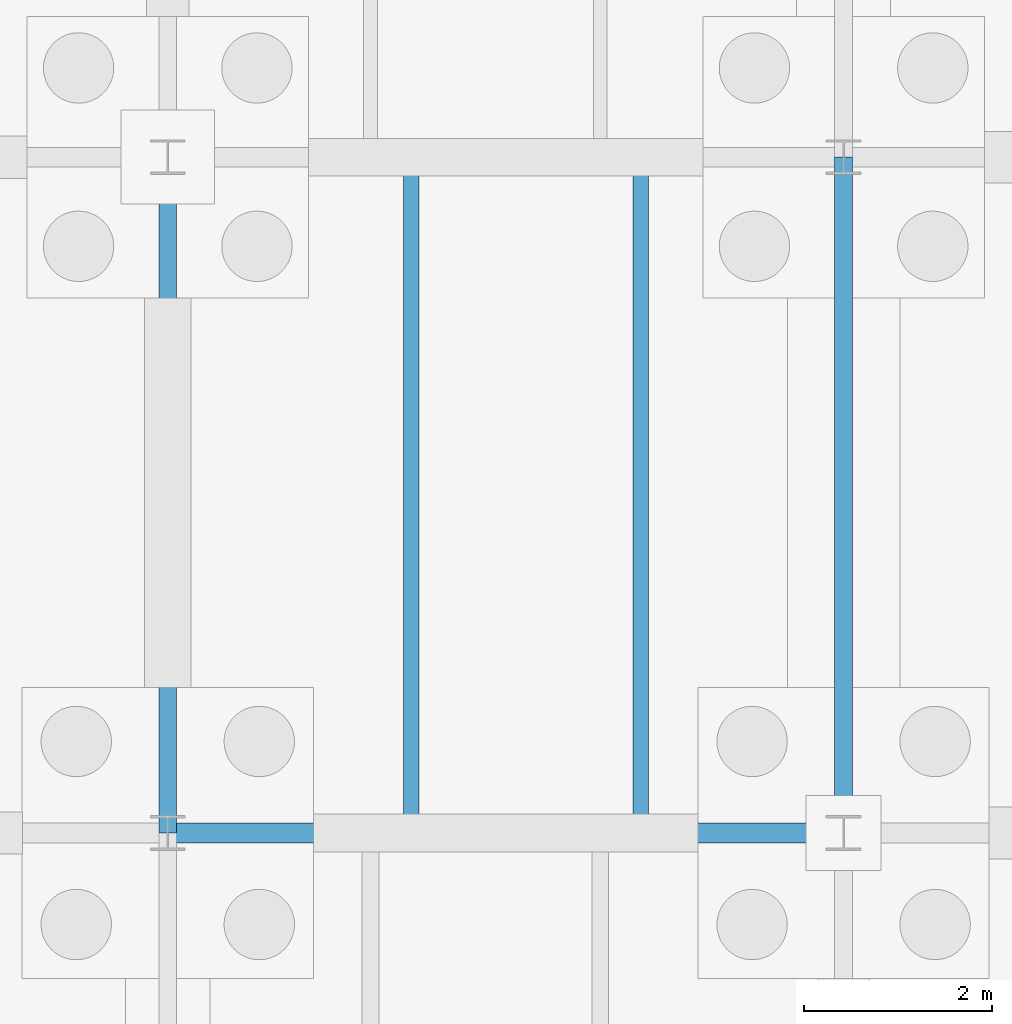
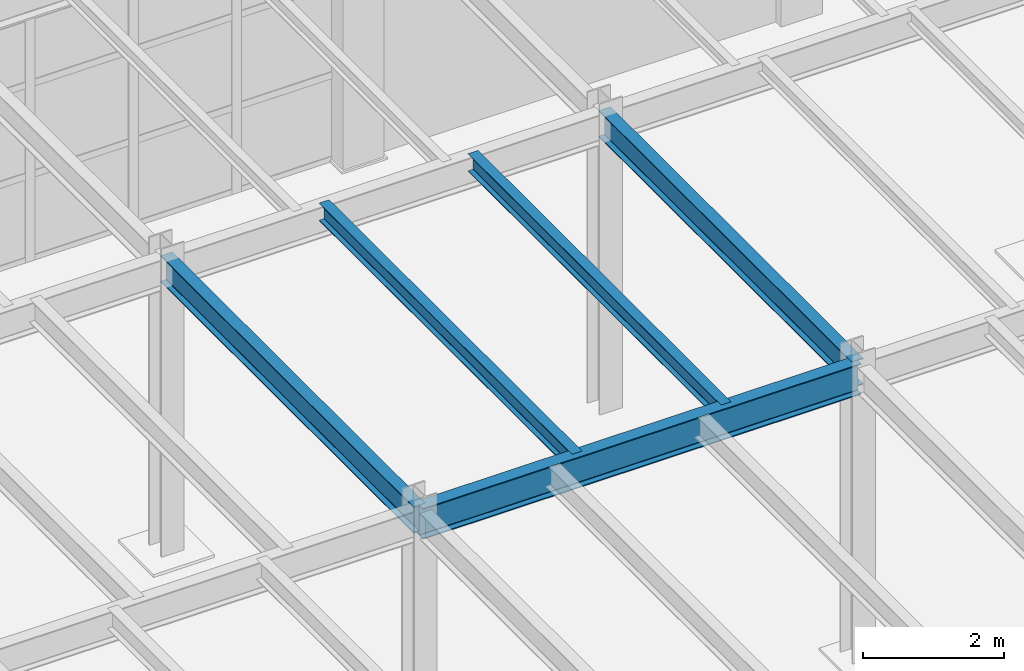
# One storey, part 95 of 293: 5 beams.
"""IFC4 building model written with IfcOpenShell, lengths in metres."""

from ifc_helpers import new_model, si_unit, direction, frame, origin, origin_2d, place, context, subcontext, project, spatial, i_section, extrude, material, material_profile, profile_set, type_object, element, save


model = new_model("IFC4")

# Units and contexts
model_context = context("Model", 3, precision=1e-05, world=origin(), true_north=direction((0.0, 1.0)))
body_context = subcontext(model_context, "Body", "Model", "MODEL_VIEW")
ifc_project = project(units=[si_unit("LENGTHUNIT", "METRE"), si_unit("AREAUNIT", "SQUARE_METRE"), si_unit("VOLUMEUNIT", "CUBIC_METRE"), si_unit("PLANEANGLEUNIT", "RADIAN"), si_unit("MASSUNIT", "GRAM", prefix="KILO")], contexts=[model_context])

# Site, building, storey
site_placement = place(None, origin())
site = spatial("IfcSite", under=ifc_project, at=site_placement, CompositionType="ELEMENT")
building_placement = place(site_placement, origin())
building = spatial("IfcBuilding", under=site, at=building_placement, Name="Kemerveld Promenade Tramway Depot", CompositionType="ELEMENT")
storey_placement = place(building_placement, origin())
storey = spatial("IfcBuildingStorey", under=building, at=storey_placement, Name="L00", CompositionType="ELEMENT", Elevation=0.0)

# Beams
ifc_material = material(Name="Steel S355", Category="steel")
ifc_material_profile_1 = material_profile(ifc_material, i_section(OverallWidth=0.2099609375, OverallDepth=0.53662109375, WebThickness=0.0107421875, FlangeThickness=0.017333984375, FilletRadius=0.0126953125, at=origin_2d()), Name="533x210x101 UB")
ifc_profile_set_1 = profile_set([ifc_material_profile_1], Name="Steel S355")
beam_type_1 = type_object("IfcBeamType", Name="BM-G05", PredefinedType="BEAM", material=ifc_profile_set_1)
beam_placement = place(storey_placement, frame((7.199951171875, 64.800048828125, 4.881591796875), z_axis=(1.0, 0.0, 0.0), x_axis=(0.0, 1.0, 0.0)))
element("IfcBeam", 1, at=beam_placement, inside=storey, type_object=beam_type_1, Name="BMX-L00-02-03-K", PredefinedType="BEAM", context=body_context, shape_type="SweptSolid", body=[
    extrude(i_section(OverallWidth=0.2099609375, OverallDepth=0.53662109375, WebThickness=0.0107421875, FlangeThickness=0.017333984375, FilletRadius=0.0126953125, at=origin_2d()), origin(), (0.0, 0.0, 1.0), 7.199951171875),
])
ifc_material_profile_2 = material_profile(ifc_material, i_section(OverallWidth=0.19140625, OverallDepth=0.4599609375, WebThickness=0.010009765625, FlangeThickness=0.01611328125, FilletRadius=0.01025390625, at=origin_2d()), Name="457x191x82 UB")
ifc_profile_set_2 = profile_set([ifc_material_profile_2], Name="Steel S355")
beam_type_2 = type_object("IfcBeamType", Name="BM-G06", PredefinedType="BEAM", material=ifc_profile_set_2)
for number, where, z_axis, x_axis, name in (
    (2, (7.199951171875, 64.800048828125, 4.919921875), (0.0, 1.0, 0.0), (-1.0, 0.0, 0.0), "BMY-L00-02-K-L"),
    (3, (14.39990234375, 64.800048828125, 4.919921875), (0.0, 1.0, 0.0), (-1.0, 0.0, 0.0), "BMY-L00-03-K-L"),
):
    element("IfcBeam", number, at=place(storey_placement, frame(where, z_axis=z_axis, x_axis=x_axis)), inside=storey, type_object=beam_type_2, Name=name, PredefinedType="BEAM", context=body_context, shape_type="SweptSolid", body=[
        extrude(i_section(OverallWidth=0.19140625, OverallDepth=0.4599609375, WebThickness=0.010009765625, FlangeThickness=0.01611328125, FilletRadius=0.01025390625, at=origin_2d()), origin(), (0.0, 0.0, 1.0), 7.199951171875),
    ])
ifc_material_profile_3 = material_profile(ifc_material, i_section(OverallWidth=0.165771484375, OverallDepth=0.306640625, WebThickness=0.006591796875, FlangeThickness=0.01171875, FilletRadius=0.0087890625, at=origin_2d()), Name="305x165x46 UB")
ifc_profile_set_3 = profile_set([ifc_material_profile_3], Name="Steel S355")
beam_type_3 = type_object("IfcBeamType", Name="BM-J01", PredefinedType="JOIST", material=ifc_profile_set_3)
for number, where, z_axis, x_axis, name in (
    (4, (9.7919921875, 64.800048828125, 4.99658203125), (0.0, 1.0, 0.0), (-1.0, 0.0, 0.0), "JST-L00-02-K-1"),
    (5, (12.239990234375, 64.800048828125, 4.99658203125), (0.0, 1.0, 0.0), (-1.0, 0.0, 0.0), "JST-L00-02-K-2"),
):
    element("IfcBeam", number, at=place(storey_placement, frame(where, z_axis=z_axis, x_axis=x_axis)), inside=storey, type_object=beam_type_3, Name=name, PredefinedType="JOIST", context=body_context, shape_type="SweptSolid", body=[
        extrude(i_section(OverallWidth=0.165771484375, OverallDepth=0.306640625, WebThickness=0.006591796875, FlangeThickness=0.01171875, FilletRadius=0.0087890625, at=origin_2d()), origin(), (0.0, 0.0, 1.0), 7.199951171875),
    ])

save(model, "model.ifc")
